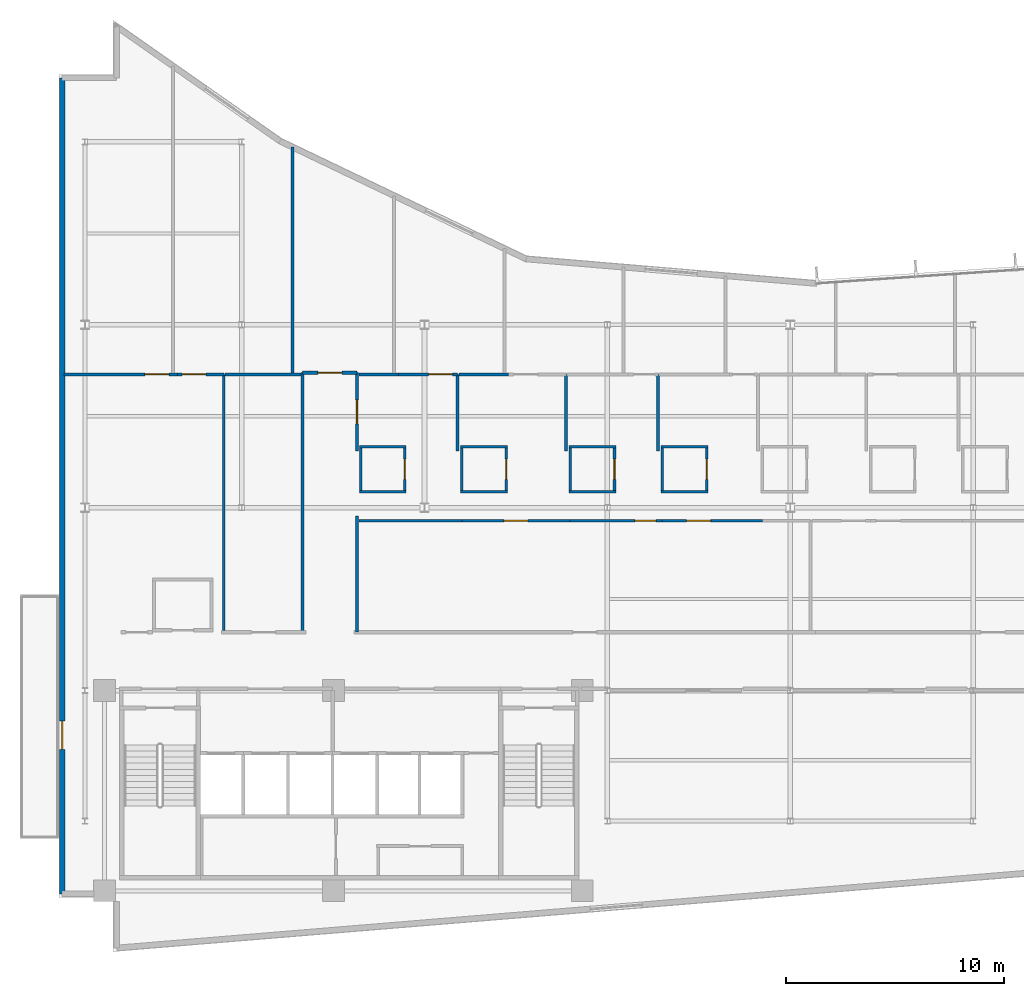
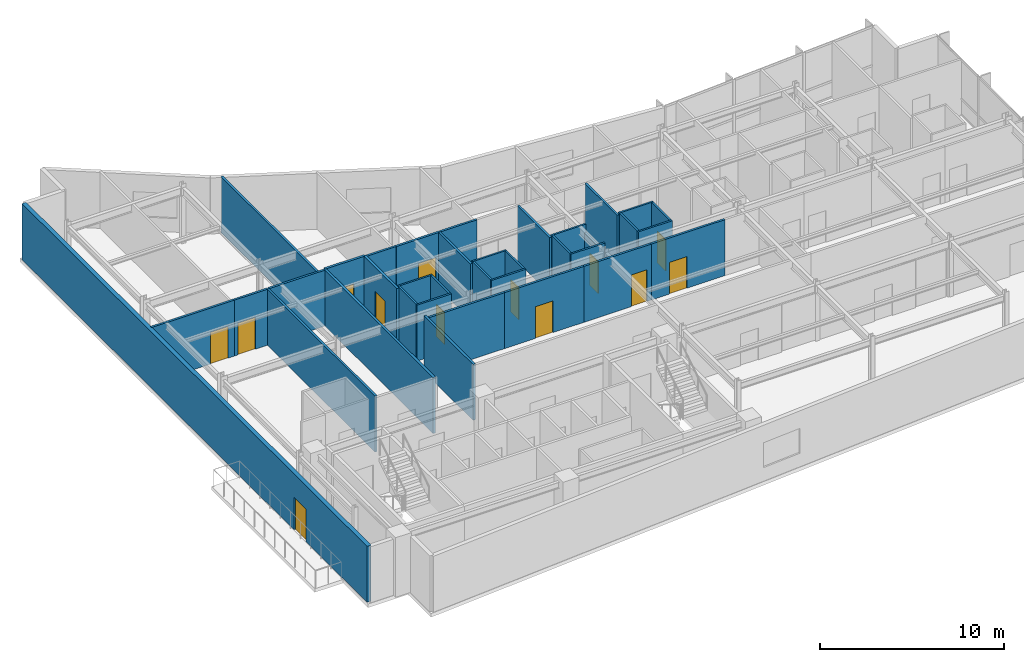
# One storey, part 12 of 17: 36 walls, 13 doors, 13 openings.
"""IFC4 building model written with IfcOpenShell, lengths in metres."""

import ifcopenshell
import ifcopenshell.guid

model = None  # the IFC model being written
_history = None  # IfcOwnerHistory: only IFC2X3 demands one
_inside = {}  # id of a spatial element -> (the spatial element, [elements in it])
_under = {}  # id of a project, library or spatial element -> (it, [spatial elements below it])
_declared = {}  # id of a project -> (the project, [libraries it declares])
_typed = {}  # id of a type object -> (the type object, [elements of that type])
_made_of = {}  # id of a material, layer set ... -> (it, [elements and type objects made of it])


def new_model(schema):
    """Start an empty IFC model of exactly this schema.

    Asked for "IFC4X3", IfcOpenShell would pick the latest addendum, in which some entities
    have other attributes; the version numbers below select the first issue.
    IFC2X3 requires an IfcOwnerHistory on every rooted entity: one is made here for all.
    """
    global model, _history
    if schema == "IFC4X3":
        model = ifcopenshell.file(schema_version=(4, 3, 0, 0))
    else:
        model = ifcopenshell.file(schema=schema)
    _inside.clear()
    _under.clear()
    _declared.clear()
    _typed.clear()
    _made_of.clear()
    _history = None
    if model.schema == "IFC2X3":
        org = make("IfcOrganization", Name="unknown")
        user = make(
            "IfcPersonAndOrganization",
            ThePerson=make("IfcPerson", FamilyName="unknown"),
            TheOrganization=org,
        )
        app = make(
            "IfcApplication",
            ApplicationDeveloper=org,
            Version="unknown",
            ApplicationFullName="unknown",
            ApplicationIdentifier="unknown",
        )
        _history = make(
            "IfcOwnerHistory",
            OwningUser=user,
            OwningApplication=app,
            ChangeAction="ADDED",
            CreationDate=0,
        )
    return model


def make(cls, **values):
    """One entity of the class cls with the attributes given. An attribute that is None is left unset."""
    return model.create_entity(
        cls, **{name: value for name, value in values.items() if value is not None}
    )


def rooted(cls, **values):
    """An entity with a GlobalId (a new one), such as an element, a storey or a relation."""
    return make(cls, GlobalId=ifcopenshell.guid.new(), OwnerHistory=_history, **values)


def si_unit(unit_type, name, prefix=None):
    """IfcSIUnit, for example si_unit("LENGTHUNIT", "METRE", prefix="MILLI")."""
    return make("IfcSIUnit", UnitType=unit_type, Prefix=prefix, Name=name)


def assignment(units):
    """IfcUnitAssignment: the units of a project."""
    return None if units is None else make("IfcUnitAssignment", Units=units)


def point(xyz):
    """IfcCartesianPoint."""
    return None if xyz is None else make("IfcCartesianPoint", Coordinates=xyz)


def direction(xyz):
    """IfcDirection."""
    return None if xyz is None else make("IfcDirection", DirectionRatios=xyz)


def frame(location, z_axis=None, x_axis=None):
    """IfcAxis2Placement3D, a coordinate frame: its origin and axes. An axis left out is left unset."""
    return make(
        "IfcAxis2Placement3D",
        Location=point(location),
        Axis=direction(z_axis),
        RefDirection=direction(x_axis),
    )


def frame_2d(location, x_axis=None):
    """IfcAxis2Placement2D, a coordinate frame in the plane: its origin and x axis."""
    return make(
        "IfcAxis2Placement2D", Location=point(location), RefDirection=direction(x_axis)
    )


def origin():
    """The frame at (0, 0, 0) with its axes left unset."""
    return frame((0.0, 0.0, 0.0))


def place(relative_to, where):
    """IfcLocalPlacement: puts the frame where relative to a parent placement (None: the world)."""
    return make(
        "IfcLocalPlacement", PlacementRelTo=relative_to, RelativePlacement=where
    )


def context(
    kind, dimensions, precision=None, world=None, true_north=None, identifier=None
):
    """IfcGeometricRepresentationContext, for example the 3D "Model" context."""
    return make(
        "IfcGeometricRepresentationContext",
        ContextIdentifier=identifier,
        ContextType=kind,
        CoordinateSpaceDimension=dimensions,
        Precision=precision,
        WorldCoordinateSystem=world,
        TrueNorth=true_north,
    )


def subcontext(parent, identifier, kind, view, scale=None):
    """IfcGeometricRepresentationSubContext, for example "Body" below "Model"."""
    return make(
        "IfcGeometricRepresentationSubContext",
        ContextIdentifier=identifier,
        ContextType=kind,
        ParentContext=parent,
        TargetScale=scale,
        TargetView=view,
    )


def project(units=None, contexts=None):
    """IfcProject with its units and contexts."""
    return rooted(
        "IfcProject",
        Name="project",
        RepresentationContexts=contexts,
        UnitsInContext=assignment(units),
    )


def spatial(cls, under=None, at=None, **own):
    """A site, building, storey or space (cls), placed at a placement, below another one or the project."""
    s = rooted(cls, ObjectPlacement=at, **own)
    if under is not None:
        _under.setdefault(under.id(), (under, []))[1].append(s)
    return s


def profile(cls, at=None, kind="AREA", **sizes):
    """A parametric profile (cls). Its sizes go by their IFC names, for example OverallWidth=200.0."""
    return make(cls, ProfileType=kind, Position=at, **sizes)


def rectangle(**sizes):
    """IfcRectangleProfileDef."""
    return profile("IfcRectangleProfileDef", **sizes)


def extrude(swept, where, along, depth):
    """IfcExtrudedAreaSolid: the profile swept, set in the frame where, extruded along a direction by depth."""
    return make(
        "IfcExtrudedAreaSolid",
        SweptArea=swept,
        Position=where,
        ExtrudedDirection=direction(along),
        Depth=depth,
    )


def shape(context_of_items, identifier, shape_type, items):
    """IfcShapeRepresentation: the items that make up one representation, for example the "Body"."""
    return make(
        "IfcShapeRepresentation",
        ContextOfItems=context_of_items,
        RepresentationIdentifier=identifier,
        RepresentationType=shape_type,
        Items=items,
    )


def material(Name=None, Category=None):
    """IfcMaterial."""
    return make("IfcMaterial", Name=Name, Category=Category)


def layer(
    of_material, thickness, ventilated=None, Name=None, Category=None, Priority=None
):
    """IfcMaterialLayer: one layer of a wall or slab, of a material (None: an air gap)."""
    return make(
        "IfcMaterialLayer",
        Material=of_material,
        LayerThickness=thickness,
        IsVentilated=ventilated,
        Name=Name,
        Category=Category,
        Priority=Priority,
    )


def layer_set(layers, Name=None):
    """IfcMaterialLayerSet."""
    return make("IfcMaterialLayerSet", MaterialLayers=layers, LayerSetName=Name)


def made_of(thing, what):
    """Note that an element or type object is made of a material, layer set ...; save() writes the relation."""
    if what is not None:
        _made_of.setdefault(what.id(), (what, []))[1].append(thing)
    return thing


def type_object(cls, material=None, **own):
    """A type object (cls), such as IfcWallType, which elements share."""
    return made_of(rooted(cls, **own), material)


def element(
    cls,
    number,
    at=None,
    inside=None,
    cuts=None,
    type_object=None,
    material=None,
    context=None,
    identifier="Body",
    shape_type=None,
    held_by="IfcProductDefinitionShape",
    body=None,
    shapes=None,
    **own,
):
    """One element of the class cls, such as IfcWall. Its Tag is "e" and its number.

    at: its placement. inside: the storey or other place that contains it. cuts: it is an
    opening in that element (IfcRelVoidsElement). A single representation is given by context,
    identifier, shape_type and body (its items); several are given by shapes. held_by: the class
    of the entity that holds the representations. save() writes the other relations.
    """
    e = rooted(cls, Tag="e%d" % number, ObjectPlacement=at, **own)
    if body is not None:
        shapes = [shape(context, identifier, shape_type, body)]
    if shapes is not None:
        e.Representation = make(held_by, Representations=shapes)
    if inside is not None:
        _inside.setdefault(inside.id(), (inside, []))[1].append(e)
    if cuts is not None:
        rooted(
            "IfcRelVoidsElement", RelatingBuildingElement=cuts, RelatedOpeningElement=e
        )
    if type_object is not None:
        _typed.setdefault(type_object.id(), (type_object, []))[1].append(e)
    return made_of(e, material)


def fill(opening, filler):
    """IfcRelFillsElement: the door or window that sits in an opening."""
    return rooted(
        "IfcRelFillsElement",
        RelatingOpeningElement=opening,
        RelatedBuildingElement=filler,
    )


def aggregate(whole, parts):
    """IfcRelAggregates: a whole, such as a stair, and the parts it consists of."""
    return rooted("IfcRelAggregates", RelatingObject=whole, RelatedObjects=parts)


def save(model, path):
    """Write the relations noted so far, then the file.

    IfcRelAggregates (storeys below a building ...), IfcRelContainedInSpatialStructure (elements
    in a storey), IfcRelDefinesByType, IfcRelAssociatesMaterial and IfcRelDeclares: one each for
    every whole, place, type object, material and project.
    """
    for whole, parts in _under.values():
        aggregate(whole, parts)
    for where, things in _inside.values():
        rooted(
            "IfcRelContainedInSpatialStructure",
            RelatedElements=things,
            RelatingStructure=where,
        )
    for kind, things in _typed.values():
        rooted("IfcRelDefinesByType", RelatedObjects=things, RelatingType=kind)
    for what, things in _made_of.values():
        rooted("IfcRelAssociatesMaterial", RelatedObjects=things, RelatingMaterial=what)
    for by, libraries in _declared.values():
        rooted("IfcRelDeclares", RelatingContext=by, RelatedDefinitions=libraries)
    model.write(path)


model = new_model("IFC4")

# Units and contexts
model_context = context("Model", 3, precision=1e-05, world=origin(), true_north=direction((0.0, 1.0)))
body_context = subcontext(model_context, "Body", "Model", "MODEL_VIEW")
ifc_project = project(units=[si_unit("LENGTHUNIT", "METRE"), si_unit("AREAUNIT", "SQUARE_METRE"), si_unit("VOLUMEUNIT", "CUBIC_METRE"), si_unit("PLANEANGLEUNIT", "RADIAN"), si_unit("MASSUNIT", "GRAM", prefix="KILO")], contexts=[model_context])

# Site, building, storey
site_placement = place(None, origin())
site = spatial("IfcSite", under=ifc_project, at=site_placement, CompositionType="ELEMENT")
building_placement = place(site_placement, origin())
building = spatial("IfcBuilding", under=site, at=building_placement, Name="Varnakote Quay Hospital", CompositionType="ELEMENT")
storey_placement = place(building_placement, frame((0.0, 0.0, 219.75)))
storey = spatial("IfcBuildingStorey", under=building, at=storey_placement, Name="L54", CompositionType="ELEMENT", Elevation=219.75)

# Walls
ifc_material_1 = material(Name="Moisture-resistant bathroom partition", Category="gypsum")
ifc_layer_1 = layer(ifc_material_1, 0.114990234375)
ifc_layer_set_1 = layer_set([ifc_layer_1], Name="Moisture-resistant bathroom partition")
wall_type_1 = type_object("IfcWallType", Name="WL-ENS-115", PredefinedType="PARTITIONING", material=ifc_layer_set_1)
for number, where, z_axis, x_axis, name in (
    (1, (13.804931640625, 21.132568359375, 0.0), (0.0, 0.0, 1.0), (1.0, 0.0, 0.0), "L54 Inpatient En-Suite Bathroom 01 S Wall"),
    (2, (13.804931640625, 23.197509765625, 0.0), (0.0, 0.0, 1.0), (1.0, 0.0, 0.0), "L54 Inpatient En-Suite Bathroom 01 N Wall"),
):
    element("IfcWall", number, at=place(storey_placement, frame(where, z_axis=z_axis, x_axis=x_axis)), inside=storey, type_object=wall_type_1, Name=name, PredefinedType="PARTITIONING", context=body_context, shape_type="SweptSolid", body=[
        extrude(rectangle(XDim=2.150146484375, YDim=0.114990234375, at=frame_2d((1.0751953125, 0.0))), origin(), (0.0, 0.0, 1.0), 3.7099609375),
    ])
wall_1_placement = place(storey_placement, frame((13.862548828125, 21.18994140625, 0.0), z_axis=(0.0, 0.0, 1.0), x_axis=(0.0, 1.0, 0.0)))
element("IfcWall", 3, at=wall_1_placement, inside=storey, type_object=wall_type_1, Name="L54 Inpatient En-Suite Bathroom 01 W Wall", PredefinedType="PARTITIONING", context=body_context, shape_type="SweptSolid", body=[
    extrude(rectangle(XDim=1.949951171875, YDim=0.114990234375, at=frame_2d((0.97509765625, 0.0))), origin(), (0.0, 0.0, 1.0), 3.7099609375),
])

# Wall, opening, door
wall_2_placement = place(storey_placement, frame((15.8974609375, 21.18994140625, 0.0), z_axis=(0.0, 0.0, 1.0), x_axis=(0.0, 1.0, 0.0)))
wall_2 = element("IfcWall", 4, at=wall_2_placement, inside=storey, type_object=wall_type_1, Name="L54 Inpatient En-Suite Bathroom 01 E Wall", PredefinedType="PARTITIONING", context=body_context, shape_type="SweptSolid", body=[
    extrude(rectangle(XDim=1.949951171875, YDim=0.114990234375, at=frame_2d((0.97509765625, 0.0))), origin(), (0.0, 0.0, 1.0), 3.7099609375),
])
opening_1_placement = place(wall_2_placement, frame((0.514892578125, 0.0, 0.0)))
opening_1 = element("IfcOpeningElement", 5, at=opening_1_placement, cuts=wall_2, Name="Opening D-L54-ENS01", PredefinedType="OPENING", context=body_context, shape_type="SweptSolid", body=[
    extrude(rectangle(XDim=0.919921875, YDim=2.10009765625, at=frame_2d((0.4599609375, 1.050048828125))), frame((0.0, 0.0673828125, 0.0), z_axis=(0.0, -1.0, 0.0), x_axis=(1.0, 0.0, 0.0)), (0.0, 0.0, 1.0), 0.135009765625),
])
ifc_material_2 = material(Name="Moisture-sealed en-suite bathroom door")
door_type_1 = type_object("IfcDoorType", Name="DR-ENS-920x2100", OperationType="NOTDEFINED", PredefinedType="DOOR", material=ifc_material_2)
door_1_placement = place(opening_1_placement, origin())
door_1 = element("IfcDoor", 6, at=door_1_placement, inside=storey, type_object=door_type_1, Name="L54 Inpatient En-Suite Bathroom 01 Door", OperationType="SINGLE_SWING_LEFT", OverallHeight=2.10009765625, OverallWidth=0.919921875, PredefinedType="DOOR", context=body_context, shape_type="SweptSolid", body=[
    extrude(rectangle(XDim=0.919921875, YDim=2.10009765625, at=frame_2d((0.4599609375, 1.050048828125))), frame((0.0, 0.02490234375, 0.0), z_axis=(0.0, -1.0, 0.0), x_axis=(1.0, 0.0, 0.0)), (0.0, 0.0, 1.0), 0.050048828125),
])
fill(opening_1, door_1)

# Walls
for number, where, z_axis, x_axis, name in (
    (7, (18.465087890625, 21.132568359375, 0.0), (0.0, 0.0, 1.0), (1.0, 0.0, 0.0), "L54 Inpatient En-Suite Bathroom 02 S Wall"),
    (8, (18.465087890625, 23.197509765625, 0.0), (0.0, 0.0, 1.0), (1.0, 0.0, 0.0), "L54 Inpatient En-Suite Bathroom 02 N Wall"),
):
    element("IfcWall", number, at=place(storey_placement, frame(where, z_axis=z_axis, x_axis=x_axis)), inside=storey, type_object=wall_type_1, Name=name, PredefinedType="PARTITIONING", context=body_context, shape_type="SweptSolid", body=[
        extrude(rectangle(XDim=2.14990234375, YDim=0.114990234375, at=frame_2d((1.074951171875, 0.0))), origin(), (0.0, 0.0, 1.0), 3.7099609375),
    ])
wall_3_placement = place(storey_placement, frame((18.5224609375, 21.18994140625, 0.0), z_axis=(0.0, 0.0, 1.0), x_axis=(0.0, 1.0, 0.0)))
element("IfcWall", 9, at=wall_3_placement, inside=storey, type_object=wall_type_1, Name="L54 Inpatient En-Suite Bathroom 02 W Wall", PredefinedType="PARTITIONING", context=body_context, shape_type="SweptSolid", body=[
    extrude(rectangle(XDim=1.949951171875, YDim=0.114990234375, at=frame_2d((0.97509765625, 0.0))), origin(), (0.0, 0.0, 1.0), 3.7099609375),
])

# Wall, opening, door
wall_4_placement = place(storey_placement, frame((20.5576171875, 21.18994140625, 0.0), z_axis=(0.0, 0.0, 1.0), x_axis=(0.0, 1.0, 0.0)))
wall_4 = element("IfcWall", 10, at=wall_4_placement, inside=storey, type_object=wall_type_1, Name="L54 Inpatient En-Suite Bathroom 02 E Wall", PredefinedType="PARTITIONING", context=body_context, shape_type="SweptSolid", body=[
    extrude(rectangle(XDim=1.949951171875, YDim=0.114990234375, at=frame_2d((0.97509765625, 0.0))), origin(), (0.0, 0.0, 1.0), 3.7099609375),
])
opening_2_placement = place(wall_4_placement, frame((0.514892578125, 0.0, 0.0)))
opening_2 = element("IfcOpeningElement", 11, at=opening_2_placement, cuts=wall_4, Name="Opening D-L54-ENS02", PredefinedType="OPENING", context=body_context, shape_type="SweptSolid", body=[
    extrude(rectangle(XDim=0.919921875, YDim=2.10009765625, at=frame_2d((0.4599609375, 1.050048828125))), frame((0.0, 0.0673828125, 0.0), z_axis=(0.0, -1.0, 0.0), x_axis=(1.0, 0.0, 0.0)), (0.0, 0.0, 1.0), 0.135009765625),
])
door_2_placement = place(opening_2_placement, origin())
door_2 = element("IfcDoor", 12, at=door_2_placement, inside=storey, type_object=door_type_1, Name="L54 Inpatient En-Suite Bathroom 02 Door", OperationType="SINGLE_SWING_RIGHT", OverallHeight=2.10009765625, OverallWidth=0.919921875, PredefinedType="DOOR", context=body_context, shape_type="SweptSolid", body=[
    extrude(rectangle(XDim=0.919921875, YDim=2.10009765625, at=frame_2d((0.4599609375, 1.050048828125))), frame((0.0, 0.02490234375, 0.0), z_axis=(0.0, -1.0, 0.0), x_axis=(1.0, 0.0, 0.0)), (0.0, 0.0, 1.0), 0.050048828125),
])
fill(opening_2, door_2)

# Walls
for number, where, z_axis, x_axis, name in (
    (13, (23.43505859375, 21.132568359375, 0.0), (0.0, 0.0, 1.0), (1.0, 0.0, 0.0), "L54 Inpatient En-Suite Bathroom 03 S Wall"),
    (14, (23.43505859375, 23.197509765625, 0.0), (0.0, 0.0, 1.0), (1.0, 0.0, 0.0), "L54 Inpatient En-Suite Bathroom 03 N Wall"),
):
    element("IfcWall", number, at=place(storey_placement, frame(where, z_axis=z_axis, x_axis=x_axis)), inside=storey, type_object=wall_type_1, Name=name, PredefinedType="PARTITIONING", context=body_context, shape_type="SweptSolid", body=[
        extrude(rectangle(XDim=2.14990234375, YDim=0.114990234375, at=frame_2d((1.074951171875, 0.0))), origin(), (0.0, 0.0, 1.0), 3.7099609375),
    ])
wall_5_placement = place(storey_placement, frame((23.492431640625, 21.18994140625, 0.0), z_axis=(0.0, 0.0, 1.0), x_axis=(0.0, 1.0, 0.0)))
element("IfcWall", 15, at=wall_5_placement, inside=storey, type_object=wall_type_1, Name="L54 Inpatient En-Suite Bathroom 03 W Wall", PredefinedType="PARTITIONING", context=body_context, shape_type="SweptSolid", body=[
    extrude(rectangle(XDim=1.949951171875, YDim=0.114990234375, at=frame_2d((0.97509765625, 0.0))), origin(), (0.0, 0.0, 1.0), 3.7099609375),
])

# Wall, opening, door
wall_6_placement = place(storey_placement, frame((25.527587890625, 21.18994140625, 0.0), z_axis=(0.0, 0.0, 1.0), x_axis=(0.0, 1.0, 0.0)))
wall_6 = element("IfcWall", 16, at=wall_6_placement, inside=storey, type_object=wall_type_1, Name="L54 Inpatient En-Suite Bathroom 03 E Wall", PredefinedType="PARTITIONING", context=body_context, shape_type="SweptSolid", body=[
    extrude(rectangle(XDim=1.949951171875, YDim=0.114990234375, at=frame_2d((0.97509765625, 0.0))), origin(), (0.0, 0.0, 1.0), 3.156982421875),
])
opening_3_placement = place(wall_6_placement, frame((0.514892578125, 0.0, 0.0)))
opening_3 = element("IfcOpeningElement", 17, at=opening_3_placement, cuts=wall_6, Name="Opening D-L54-ENS03", PredefinedType="OPENING", context=body_context, shape_type="SweptSolid", body=[
    extrude(rectangle(XDim=0.919921875, YDim=2.10009765625, at=frame_2d((0.4599609375, 1.050048828125))), frame((0.0, 0.0673828125, 0.0), z_axis=(0.0, -1.0, 0.0), x_axis=(1.0, 0.0, 0.0)), (0.0, 0.0, 1.0), 0.135009765625),
])
door_3_placement = place(opening_3_placement, origin())
door_3 = element("IfcDoor", 18, at=door_3_placement, inside=storey, type_object=door_type_1, Name="L54 Inpatient En-Suite Bathroom 03 Door", OperationType="SINGLE_SWING_LEFT", OverallHeight=2.10009765625, OverallWidth=0.919921875, PredefinedType="DOOR", context=body_context, shape_type="SweptSolid", body=[
    extrude(rectangle(XDim=0.919921875, YDim=2.10009765625, at=frame_2d((0.4599609375, 1.050048828125))), frame((0.0, 0.02490234375, 0.0), z_axis=(0.0, -1.0, 0.0), x_axis=(1.0, 0.0, 0.0)), (0.0, 0.0, 1.0), 0.050048828125),
])
fill(opening_3, door_3)

# Walls
for number, where, z_axis, x_axis, name in (
    (19, (27.6650390625, 21.132568359375, 0.0), (0.0, 0.0, 1.0), (1.0, 0.0, 0.0), "L54 Inpatient En-Suite Bathroom 04 S Wall"),
    (20, (27.6650390625, 23.197509765625, 0.0), (0.0, 0.0, 1.0), (1.0, 0.0, 0.0), "L54 Inpatient En-Suite Bathroom 04 N Wall"),
):
    element("IfcWall", number, at=place(storey_placement, frame(where, z_axis=z_axis, x_axis=x_axis)), inside=storey, type_object=wall_type_1, Name=name, PredefinedType="PARTITIONING", context=body_context, shape_type="SweptSolid", body=[
        extrude(rectangle(XDim=2.14990234375, YDim=0.114990234375, at=frame_2d((1.074951171875, 0.0))), origin(), (0.0, 0.0, 1.0), 3.7099609375),
    ])
wall_7_placement = place(storey_placement, frame((27.722412109375, 21.18994140625, 0.0), z_axis=(0.0, 0.0, 1.0), x_axis=(0.0, 1.0, 0.0)))
element("IfcWall", 21, at=wall_7_placement, inside=storey, type_object=wall_type_1, Name="L54 Inpatient En-Suite Bathroom 04 W Wall", PredefinedType="PARTITIONING", context=body_context, shape_type="SweptSolid", body=[
    extrude(rectangle(XDim=1.949951171875, YDim=0.114990234375, at=frame_2d((0.97509765625, 0.0))), origin(), (0.0, 0.0, 1.0), 3.7099609375),
])

# Wall, opening, door
wall_8_placement = place(storey_placement, frame((29.757568359375, 21.18994140625, 0.0), z_axis=(0.0, 0.0, 1.0), x_axis=(0.0, 1.0, 0.0)))
wall_8 = element("IfcWall", 22, at=wall_8_placement, inside=storey, type_object=wall_type_1, Name="L54 Inpatient En-Suite Bathroom 04 E Wall", PredefinedType="PARTITIONING", context=body_context, shape_type="SweptSolid", body=[
    extrude(rectangle(XDim=1.949951171875, YDim=0.114990234375, at=frame_2d((0.97509765625, 0.0))), origin(), (0.0, 0.0, 1.0), 3.7099609375),
])
opening_4_placement = place(wall_8_placement, frame((0.514892578125, 0.0, 0.0)))
opening_4 = element("IfcOpeningElement", 23, at=opening_4_placement, cuts=wall_8, Name="Opening D-L54-ENS04", PredefinedType="OPENING", context=body_context, shape_type="SweptSolid", body=[
    extrude(rectangle(XDim=0.919921875, YDim=2.10009765625, at=frame_2d((0.4599609375, 1.050048828125))), frame((0.0, 0.0673828125, 0.0), z_axis=(0.0, -1.0, 0.0), x_axis=(1.0, 0.0, 0.0)), (0.0, 0.0, 1.0), 0.135009765625),
])
door_4_placement = place(opening_4_placement, origin())
door_4 = element("IfcDoor", 24, at=door_4_placement, inside=storey, type_object=door_type_1, Name="L54 Inpatient En-Suite Bathroom 04 Door", OperationType="SINGLE_SWING_RIGHT", OverallHeight=2.10009765625, OverallWidth=0.919921875, PredefinedType="DOOR", context=body_context, shape_type="SweptSolid", body=[
    extrude(rectangle(XDim=0.919921875, YDim=2.10009765625, at=frame_2d((0.4599609375, 1.050048828125))), frame((0.0, 0.02490234375, 0.0), z_axis=(0.0, -1.0, 0.0), x_axis=(1.0, 0.0, 0.0)), (0.0, 0.0, 1.0), 0.050048828125),
])
fill(opening_4, door_4)

ifc_material_3 = material(Name="Precast concrete N50 (f'c 50 MPa)", Category="concrete")
ifc_layer_2 = layer(ifc_material_3, 0.260009765625)
ifc_layer_set_2 = layer_set([ifc_layer_2], Name="Precast concrete N50 (f'c 50 MPa)")
wall_type_2 = type_object("IfcWallType", Name="WL-EXT-BRICK-260", PredefinedType="STANDARD", material=ifc_layer_set_2)
wall_9_placement = place(storey_placement, frame((0.159912109375, 40.139892578125, 0.0), z_axis=(0.0, 0.0, 1.0), x_axis=(0.0, -1.0, 0.0)))
wall_9 = element("IfcWall", 25, at=wall_9_placement, inside=storey, type_object=wall_type_2, Name="L54 Healing Terrace Portal Brick Wall", PredefinedType="STANDARD", context=body_context, shape_type="SweptSolid", body=[
    extrude(rectangle(XDim=37.47998046875, YDim=0.260009765625, at=frame_2d((18.739990234375, 0.0))), origin(), (0.0, 0.0, 1.0), 3.7099609375),
])
opening_5_placement = place(wall_9_placement, frame((29.542236328125, 0.0, 0.0)))
opening_5 = element("IfcOpeningElement", 26, at=opening_5_placement, cuts=wall_9, Name="Opening DT-L54", PredefinedType="OPENING", context=body_context, shape_type="SweptSolid", body=[
    extrude(rectangle(XDim=1.300048828125, YDim=2.14990234375, at=frame_2d((0.64990234375, 1.074951171875))), frame((0.0, 0.139892578125, 0.0), z_axis=(0.0, -1.0, 0.0), x_axis=(1.0, 0.0, 0.0)), (0.0, 0.0, 1.0), 0.280029296875),
])
ifc_material_4 = material(Name="Anodised aluminium glazed terrace door", Category="aluminium")
door_type_2 = type_object("IfcDoorType", Name="DR-EXT-TERR-1300x2150", OperationType="NOTDEFINED", PredefinedType="DOOR", material=ifc_material_4)
door_5_placement = place(opening_5_placement, origin())
door_5 = element("IfcDoor", 27, at=door_5_placement, inside=storey, type_object=door_type_2, Name="L54 Waterfront Healing Terrace Door", OperationType="SINGLE_SWING_LEFT", OverallHeight=2.14990234375, OverallWidth=1.300048828125, PredefinedType="DOOR", context=body_context, shape_type="SweptSolid", body=[
    extrude(rectangle(XDim=1.300048828125, YDim=2.14990234375, at=frame_2d((0.64990234375, 1.074951171875))), frame((0.0, 0.02490234375, 0.0), z_axis=(0.0, -1.0, 0.0), x_axis=(1.0, 0.0, 0.0)), (0.0, 0.0, 1.0), 0.050048828125),
])
fill(opening_5, door_5)

# Wall
ifc_material_5 = material(Name="Smoke-proof clinical partition", Category="gypsum")
ifc_layer_3 = layer(ifc_material_5, 0.135009765625)
ifc_layer_set_3 = layer_set([ifc_layer_3], Name="Smoke-proof clinical partition")
wall_type_3 = type_object("IfcWallType", Name="WL-SMOKE-135", PredefinedType="PARTITIONING", material=ifc_layer_set_3)
wall_10_placement = place(storey_placement, frame((7.580078125, 14.760009765625, 0.0), z_axis=(0.0, 0.0, 1.0), x_axis=(0.0, 1.0, 0.0)))
element("IfcWall", 28, at=wall_10_placement, inside=storey, type_object=wall_type_3, Name="L54 Clinical Interior Partition", PredefinedType="PARTITIONING", context=body_context, shape_type="SweptSolid", body=[
    extrude(rectangle(XDim=11.760009765625, YDim=0.135009765625, at=frame_2d((5.8798828125, 0.0))), origin(), (0.0, 0.0, 1.0), 3.7099609375),
])

# Wall, opening, door
wall_11_placement = place(storey_placement, frame((5.444580078125, 26.52001953125, 0.0), z_axis=(0.0, 0.0, 1.0), x_axis=(-1.0, 0.0, 0.0)))
wall_11 = element("IfcWall", 29, at=wall_11_placement, inside=storey, type_object=wall_type_3, Name="L54 Clinical Interior Partition", PredefinedType="PARTITIONING", context=body_context, shape_type="SweptSolid", body=[
    extrude(rectangle(XDim=5.20458984375, YDim=0.135009765625, at=frame_2d((2.602294921875, 0.0))), origin(), (0.0, 0.0, 1.0), 3.7099609375),
])
opening_6_placement = place(wall_11_placement, frame((0.38525390625, 0.0, 0.0)))
opening_6 = element("IfcOpeningElement", 30, at=opening_6_placement, cuts=wall_11, Name="Opening D-L54-MD03", PredefinedType="OPENING", context=body_context, shape_type="SweptSolid", body=[
    extrude(rectangle(XDim=1.10009765625, YDim=2.10009765625, at=frame_2d((0.550048828125, 1.050048828125))), frame((0.0, 0.077392578125, 0.0), z_axis=(0.0, -1.0, 0.0), x_axis=(1.0, 0.0, 0.0)), (0.0, 0.0, 1.0), 0.155029296875),
])
ifc_material_6 = material(Name="Acoustic timber clinical consult door", Category="wood")
door_type_3 = type_object("IfcDoorType", Name="DR-CLIN-FD30S-1100x2100", OperationType="NOTDEFINED", PredefinedType="DOOR", material=ifc_material_6)
door_6_placement = place(opening_6_placement, origin())
door_6 = element("IfcDoor", 31, at=door_6_placement, inside=storey, type_object=door_type_3, Name="L54 Preventive Cardiology Office Door", OperationType="SINGLE_SWING_RIGHT", OverallHeight=2.10009765625, OverallWidth=1.10009765625, PredefinedType="DOOR", context=body_context, shape_type="SweptSolid", body=[
    extrude(rectangle(XDim=1.10009765625, YDim=2.10009765625, at=frame_2d((0.550048828125, 1.050048828125))), frame((0.0, 0.02490234375, 0.0), z_axis=(0.0, -1.0, 0.0), x_axis=(1.0, 0.0, 0.0)), (0.0, 0.0, 1.0), 0.050048828125),
])
fill(opening_6, door_6)

wall_12_placement = place(storey_placement, frame((7.580078125, 26.52001953125, 0.0), z_axis=(0.0, 0.0, 1.0), x_axis=(-1.0, 0.0, 0.0)))
wall_12 = element("IfcWall", 32, at=wall_12_placement, inside=storey, type_object=wall_type_3, Name="L54 Clinical Interior Partition", PredefinedType="PARTITIONING", context=body_context, shape_type="SweptSolid", body=[
    extrude(rectangle(XDim=2.133544921875, YDim=0.135009765625, at=frame_2d((1.06689453125, 0.0))), origin(), (0.0, 0.0, 1.0), 3.7099609375),
])
opening_7_placement = place(wall_12_placement, frame((0.817626953125, 0.0, 0.0)))
opening_7 = element("IfcOpeningElement", 33, at=opening_7_placement, cuts=wall_12, Name="Opening D-L54-MD04", PredefinedType="OPENING", context=body_context, shape_type="SweptSolid", body=[
    extrude(rectangle(XDim=1.10009765625, YDim=2.10009765625, at=frame_2d((0.550048828125, 1.050048828125))), frame((0.0, 0.077392578125, 0.0), z_axis=(0.0, -1.0, 0.0), x_axis=(1.0, 0.0, 0.0)), (0.0, 0.0, 1.0), 0.155029296875),
])
door_7_placement = place(opening_7_placement, origin())
door_7 = element("IfcDoor", 34, at=door_7_placement, inside=storey, type_object=door_type_3, Name="L54 Patient Wellness Meeting Room Door", OperationType="SINGLE_SWING_LEFT", OverallHeight=2.10009765625, OverallWidth=1.10009765625, PredefinedType="DOOR", context=body_context, shape_type="SweptSolid", body=[
    extrude(rectangle(XDim=1.10009765625, YDim=2.10009765625, at=frame_2d((0.550048828125, 1.050048828125))), frame((0.0, 0.02490234375, 0.0), z_axis=(0.0, -1.0, 0.0), x_axis=(1.0, 0.0, 0.0)), (0.0, 0.0, 1.0), 0.050048828125),
])
fill(opening_7, door_7)

# Walls
wall_13_placement = place(storey_placement, frame((11.135009765625, 26.52001953125, 0.0), z_axis=(0.0, 0.0, 1.0), x_axis=(-1.0, 0.0, 0.0)))
element("IfcWall", 35, at=wall_13_placement, inside=storey, type_object=wall_type_3, Name="L54 Clinical Interior Partition", PredefinedType="PARTITIONING", context=body_context, shape_type="SweptSolid", body=[
    extrude(rectangle(XDim=3.49755859375, YDim=0.135009765625, at=frame_2d((1.748779296875, 0.0))), origin(), (0.0, 0.0, 1.0), 3.7099609375),
])
wall_14_placement = place(storey_placement, frame((18.5146484375, 19.800048828125, 0.0), z_axis=(0.0, 0.0, 1.0), x_axis=(-1.0, 0.0, 0.0)))
element("IfcWall", 36, at=wall_14_placement, inside=storey, type_object=wall_type_3, Name="L54 Clinical Interior Partition", PredefinedType="PARTITIONING", context=body_context, shape_type="SweptSolid", body=[
    extrude(rectangle(XDim=4.734619140625, YDim=0.135009765625, at=frame_2d((2.3671875, 0.0))), origin(), (0.0, 0.0, 1.0), 3.7099609375),
])

# Wall, opening, door
wall_15_placement = place(storey_placement, frame((23.484619140625, 19.800048828125, 0.0), z_axis=(0.0, 0.0, 1.0), x_axis=(-1.0, 0.0, 0.0)))
wall_15 = element("IfcWall", 37, at=wall_15_placement, inside=storey, type_object=wall_type_3, Name="L54 Clinical Interior Partition", PredefinedType="PARTITIONING", context=body_context, shape_type="SweptSolid", body=[
    extrude(rectangle(XDim=4.968017578125, YDim=0.135009765625, at=frame_2d((2.48388671875, 0.0))), origin(), (0.0, 0.0, 1.0), 3.7099609375),
])
opening_8_placement = place(wall_15_placement, frame((1.93408203125, 0.0, 0.0)))
opening_8 = element("IfcOpeningElement", 38, at=opening_8_placement, cuts=wall_15, Name="Opening D-L54-BR02", PredefinedType="OPENING", context=body_context, shape_type="SweptSolid", body=[
    extrude(rectangle(XDim=1.10009765625, YDim=2.10009765625, at=frame_2d((0.550048828125, 1.050048828125))), frame((0.0, 0.077392578125, 0.0), z_axis=(0.0, -1.0, 0.0), x_axis=(1.0, 0.0, 0.0)), (0.0, 0.0, 1.0), 0.155029296875),
])
door_8_placement = place(opening_8_placement, origin())
door_8 = element("IfcDoor", 39, at=door_8_placement, inside=storey, type_object=door_type_3, Name="L54 Inpatient Clinical Treatment Room 02 Door", OperationType="SINGLE_SWING_RIGHT", OverallHeight=2.10009765625, OverallWidth=1.10009765625, PredefinedType="DOOR", context=body_context, shape_type="SweptSolid", body=[
    extrude(rectangle(XDim=1.10009765625, YDim=2.10009765625, at=frame_2d((0.550048828125, 1.050048828125))), frame((0.0, 0.02490234375, 0.0), z_axis=(0.0, -1.0, 0.0), x_axis=(1.0, 0.0, 0.0)), (0.0, 0.0, 1.0), 0.050048828125),
])
fill(opening_8, door_8)

wall_16_placement = place(storey_placement, frame((27.714599609375, 19.800048828125, 0.0), z_axis=(0.0, 0.0, 1.0), x_axis=(-1.0, 0.0, 0.0)))
wall_16 = element("IfcWall", 40, at=wall_16_placement, inside=storey, type_object=wall_type_3, Name="L54 Clinical Interior Partition", PredefinedType="PARTITIONING", context=body_context, shape_type="SweptSolid", body=[
    extrude(rectangle(XDim=4.22802734375, YDim=0.135009765625, at=frame_2d((2.114013671875, 0.0))), origin(), (0.0, 0.0, 1.0), 3.7099609375),
])
opening_9_placement = place(wall_16_placement, frame((0.271240234375, 0.0, 0.0)))
opening_9 = element("IfcOpeningElement", 41, at=opening_9_placement, cuts=wall_16, Name="Opening D-L54-BR03", PredefinedType="OPENING", context=body_context, shape_type="SweptSolid", body=[
    extrude(rectangle(XDim=0.97998046875, YDim=2.10009765625, at=frame_2d((0.489990234375, 1.050048828125))), frame((0.0, 0.077392578125, 0.0), z_axis=(0.0, -1.0, 0.0), x_axis=(1.0, 0.0, 0.0)), (0.0, 0.0, 1.0), 0.155029296875),
])
ifc_material_7 = material(Name="Accessible sanitary compartment door")
door_type_4 = type_object("IfcDoorType", Name="DR-WC-980x2100", OperationType="NOTDEFINED", PredefinedType="DOOR", material=ifc_material_7)
door_9_placement = place(opening_9_placement, origin())
door_9 = element("IfcDoor", 42, at=door_9_placement, inside=storey, type_object=door_type_4, Name="L54 Inpatient Clinical Treatment Room 03 Door", OperationType="SINGLE_SWING_LEFT", OverallHeight=2.10009765625, OverallWidth=0.97998046875, PredefinedType="DOOR", context=body_context, shape_type="SweptSolid", body=[
    extrude(rectangle(XDim=0.97998046875, YDim=2.10009765625, at=frame_2d((0.489990234375, 1.050048828125))), frame((0.0, 0.02490234375, 0.0), z_axis=(0.0, -1.0, 0.0), x_axis=(1.0, 0.0, 0.0)), (0.0, 0.0, 1.0), 0.050048828125),
])
fill(opening_9, door_9)

wall_17_placement = place(storey_placement, frame((32.314697265625, 19.800048828125, 0.0), z_axis=(0.0, 0.0, 1.0), x_axis=(-1.0, 0.0, 0.0)))
wall_17 = element("IfcWall", 43, at=wall_17_placement, inside=storey, type_object=wall_type_3, Name="L54 Clinical Interior Partition", PredefinedType="PARTITIONING", context=body_context, shape_type="SweptSolid", body=[
    extrude(rectangle(XDim=4.59814453125, YDim=0.135009765625, at=frame_2d((2.299072265625, 0.0))), origin(), (0.0, 0.0, 1.0), 3.7099609375),
])
opening_10_placement = place(wall_17_placement, frame((2.36865234375, 0.0, 0.0)))
opening_10 = element("IfcOpeningElement", 44, at=opening_10_placement, cuts=wall_17, Name="Opening D-L54-BR04", PredefinedType="OPENING", context=body_context, shape_type="SweptSolid", body=[
    extrude(rectangle(XDim=1.10009765625, YDim=2.10009765625, at=frame_2d((0.550048828125, 1.050048828125))), frame((0.0, 0.077392578125, 0.0), z_axis=(0.0, -1.0, 0.0), x_axis=(1.0, 0.0, 0.0)), (0.0, 0.0, 1.0), 0.155029296875),
])
door_10_placement = place(opening_10_placement, origin())
door_10 = element("IfcDoor", 45, at=door_10_placement, inside=storey, type_object=door_type_3, Name="L54 Inpatient Clinical Treatment Room 04 Door", OperationType="SINGLE_SWING_RIGHT", OverallHeight=2.10009765625, OverallWidth=1.10009765625, PredefinedType="DOOR", context=body_context, shape_type="SweptSolid", body=[
    extrude(rectangle(XDim=1.10009765625, YDim=2.10009765625, at=frame_2d((0.550048828125, 1.050048828125))), frame((0.0, 0.02490234375, 0.0), z_axis=(0.0, -1.0, 0.0), x_axis=(1.0, 0.0, 0.0)), (0.0, 0.0, 1.0), 0.050048828125),
])
fill(opening_10, door_10)

# Walls
wall_18_placement = place(storey_placement, frame((18.320068359375, 23.012451171875, 0.0), z_axis=(0.0, 0.0, 1.0), x_axis=(0.0, 1.0, 0.0)))
element("IfcWall", 46, at=wall_18_placement, inside=storey, type_object=wall_type_3, Name="L54 Clinical Interior Partition", PredefinedType="PARTITIONING", context=body_context, shape_type="SweptSolid", body=[
    extrude(rectangle(XDim=3.507568359375, YDim=0.135009765625, at=frame_2d((1.75390625, 0.0))), origin(), (0.0, 0.0, 1.0), 3.7099609375),
])
wall_19_placement = place(storey_placement, frame((15.594482421875, 26.52001953125, 0.0), z_axis=(0.0, 0.0, 1.0), x_axis=(-1.0, 0.0, 0.0)))
element("IfcWall", 47, at=wall_19_placement, inside=storey, type_object=wall_type_3, Name="L54 Clinical Interior Partition", PredefinedType="PARTITIONING", context=body_context, shape_type="SweptSolid", body=[
    extrude(rectangle(XDim=1.814453125, YDim=0.135009765625, at=frame_2d((0.9072265625, 0.0))), origin(), (0.0, 0.0, 1.0), 3.7099609375),
])

# Wall, opening, door
wall_20_placement = place(storey_placement, frame((18.320068359375, 26.52001953125, 0.0), z_axis=(0.0, 0.0, 1.0), x_axis=(-1.0, 0.0, 0.0)))
wall_20 = element("IfcWall", 48, at=wall_20_placement, inside=storey, type_object=wall_type_3, Name="L54 Clinical Interior Partition", PredefinedType="PARTITIONING", context=body_context, shape_type="SweptSolid", body=[
    extrude(rectangle(XDim=2.723388671875, YDim=0.135009765625, at=frame_2d((1.36181640625, 0.0))), origin(), (0.0, 0.0, 1.0), 3.7099609375),
])
opening_11_placement = place(wall_20_placement, frame((0.230712890625, 0.0, 0.0)))
opening_11 = element("IfcOpeningElement", 49, at=opening_11_placement, cuts=wall_20, Name="Opening D-L54-MD06", PredefinedType="OPENING", context=body_context, shape_type="SweptSolid", body=[
    extrude(rectangle(XDim=1.10009765625, YDim=2.10009765625, at=frame_2d((0.550048828125, 1.050048828125))), frame((0.0, 0.077392578125, 0.0), z_axis=(0.0, -1.0, 0.0), x_axis=(1.0, 0.0, 0.0)), (0.0, 0.0, 1.0), 0.155029296875),
])
door_11_placement = place(opening_11_placement, origin())
door_11 = element("IfcDoor", 50, at=door_11_placement, inside=storey, type_object=door_type_3, Name="L54 Cardiac Rehab Treatment Suite Door", OperationType="SINGLE_SWING_LEFT", OverallHeight=2.10009765625, OverallWidth=1.10009765625, PredefinedType="DOOR", context=body_context, shape_type="SweptSolid", body=[
    extrude(rectangle(XDim=1.10009765625, YDim=2.10009765625, at=frame_2d((0.550048828125, 1.050048828125))), frame((0.0, 0.02490234375, 0.0), z_axis=(0.0, -1.0, 0.0), x_axis=(1.0, 0.0, 0.0)), (0.0, 0.0, 1.0), 0.050048828125),
])
fill(opening_11, door_11)

# Walls
wall_21_placement = place(storey_placement, frame((23.2900390625, 23.012451171875, 0.0), z_axis=(0.0, 0.0, 1.0), x_axis=(0.0, 1.0, 0.0)))
element("IfcWall", 51, at=wall_21_placement, inside=storey, type_object=wall_type_3, Name="L54 Clinical Interior Partition", PredefinedType="PARTITIONING", context=body_context, shape_type="SweptSolid", body=[
    extrude(rectangle(XDim=3.507568359375, YDim=0.135009765625, at=frame_2d((1.75390625, 0.0))), origin(), (0.0, 0.0, 1.0), 3.7099609375),
])
wall_22_placement = place(storey_placement, frame((20.66455078125, 26.52001953125, 0.0), z_axis=(0.0, 0.0, 1.0), x_axis=(-1.0, 0.0, 0.0)))
element("IfcWall", 52, at=wall_22_placement, inside=storey, type_object=wall_type_3, Name="L54 Clinical Interior Partition", PredefinedType="PARTITIONING", context=body_context, shape_type="SweptSolid", body=[
    extrude(rectangle(XDim=2.287109375, YDim=0.135009765625, at=frame_2d((1.1435546875, 0.0))), origin(), (0.0, 0.0, 1.0), 3.7099609375),
])
wall_23_placement = place(storey_placement, frame((27.52001953125, 23.012451171875, 0.0), z_axis=(0.0, 0.0, 1.0), x_axis=(0.0, 1.0, 0.0)))
element("IfcWall", 53, at=wall_23_placement, inside=storey, type_object=wall_type_3, Name="L54 Clinical Interior Partition", PredefinedType="PARTITIONING", context=body_context, shape_type="SweptSolid", body=[
    extrude(rectangle(XDim=3.507568359375, YDim=0.135009765625, at=frame_2d((1.75390625, 0.0))), origin(), (0.0, 0.0, 1.0), 3.7099609375),
])
wall_24_placement = place(storey_placement, frame((10.72998046875, 26.577392578125, 0.0), z_axis=(0.0, 0.0, 1.0), x_axis=(0.0, 1.0, 0.0)))
element("IfcWall", 54, at=wall_24_placement, inside=storey, type_object=wall_type_3, Name="L54 Clinical Interior Partition", PredefinedType="PARTITIONING", context=body_context, shape_type="SweptSolid", body=[
    extrude(rectangle(XDim=10.386474609375, YDim=0.135009765625, at=frame_2d((5.193359375, 0.0))), origin(), (0.0, 0.0, 1.0), 3.7099609375),
])
ifc_material_8 = material(Name="Fire-rated clinical gypsum partition", Category="gypsum")
ifc_layer_4 = layer(ifc_material_8, 0.14990234375)
ifc_layer_set_4 = layer_set([ifc_layer_4], Name="Fire-rated clinical gypsum partition")
wall_type_4 = type_object("IfcWallType", Name="WL-WARD-150", PredefinedType="PARTITIONING", material=ifc_layer_set_4)
wall_25_placement = place(storey_placement, frame((11.199951171875, 26.60009765625, 0.0), z_axis=(0.0, 0.0, 1.0), x_axis=(0.0, -1.0, 0.0)))
element("IfcWall", 55, at=wall_25_placement, inside=storey, type_object=wall_type_4, Name="L54 Clinical Interior Partition", PredefinedType="PARTITIONING", context=body_context, shape_type="SweptSolid", body=[
    extrude(rectangle(XDim=11.900146484375, YDim=0.14990234375, at=frame_2d((5.9501953125, 0.0))), origin(), (0.0, 0.0, 1.0), 3.7099609375),
])
wall_26_placement = place(storey_placement, frame((13.699951171875, 14.699951171875, 0.0), z_axis=(0.0, 0.0, 1.0), x_axis=(0.0, 1.0, 0.0)))
element("IfcWall", 56, at=wall_26_placement, inside=storey, type_object=wall_type_4, Name="L54 Clinical Interior Partition", PredefinedType="PARTITIONING", context=body_context, shape_type="SweptSolid", body=[
    extrude(rectangle(XDim=5.325927734375, YDim=0.14990234375, at=frame_2d((2.6630859375, 0.0))), origin(), (0.0, 0.0, 1.0), 3.7099609375),
])

# Wall, opening, door
wall_27_placement = place(storey_placement, frame((13.699951171875, 22.993896484375, 0.0), z_axis=(0.0, 0.0, 1.0), x_axis=(0.0, 1.0, 0.0)))
wall_27 = element("IfcWall", 57, at=wall_27_placement, inside=storey, type_object=wall_type_4, Name="L54 Clinical Interior Partition", PredefinedType="PARTITIONING", context=body_context, shape_type="SweptSolid", body=[
    extrude(rectangle(XDim=3.606201171875, YDim=0.14990234375, at=frame_2d((1.80322265625, 0.0))), origin(), (0.0, 0.0, 1.0), 3.7099609375),
])
opening_12_placement = place(wall_27_placement, frame((1.2529296875, 0.0, 0.0)))
opening_12 = element("IfcOpeningElement", 58, at=opening_12_placement, cuts=wall_27, Name="Opening D-L54-BR01", PredefinedType="OPENING", context=body_context, shape_type="SweptSolid", body=[
    extrude(rectangle(XDim=1.10009765625, YDim=2.10009765625, at=frame_2d((0.550048828125, 1.050048828125))), frame((0.0, 0.0849609375, 0.0), z_axis=(0.0, -1.0, 0.0), x_axis=(1.0, 0.0, 0.0)), (0.0, 0.0, 1.0), 0.169921875),
])
door_12_placement = place(opening_12_placement, origin())
door_12 = element("IfcDoor", 59, at=door_12_placement, inside=storey, type_object=door_type_3, Name="L54 Inpatient Clinical Treatment Room 01 Door", OperationType="SINGLE_SWING_RIGHT", OverallHeight=2.10009765625, OverallWidth=1.10009765625, PredefinedType="DOOR", context=body_context, shape_type="SweptSolid", body=[
    extrude(rectangle(XDim=1.10009765625, YDim=2.10009765625, at=frame_2d((0.550048828125, 1.050048828125))), frame((0.0, 0.02490234375, 0.0), z_axis=(0.0, -1.0, 0.0), x_axis=(1.0, 0.0, 0.0)), (0.0, 0.0, 1.0), 0.050048828125),
])
fill(opening_12, door_12)

wall_28_placement = place(storey_placement, frame((13.699951171875, 26.60009765625, 0.0), z_axis=(0.0, 0.0, 1.0), x_axis=(-1.0, 0.0, 0.0)))
wall_28 = element("IfcWall", 60, at=wall_28_placement, inside=storey, type_object=wall_type_4, Name="L54 Clinical Interior Partition", PredefinedType="PARTITIONING", context=body_context, shape_type="SweptSolid", body=[
    extrude(rectangle(XDim=2.5, YDim=0.14990234375, at=frame_2d((1.25, 0.0))), origin(), (0.0, 0.0, 1.0), 3.7099609375),
])
opening_13_placement = place(wall_28_placement, frame((0.699951171875, 0.0, 0.0)))
opening_13 = element("IfcOpeningElement", 61, at=opening_13_placement, cuts=wall_28, Name="Opening D-L54-MD05", PredefinedType="OPENING", context=body_context, shape_type="SweptSolid", body=[
    extrude(rectangle(XDim=1.10009765625, YDim=2.10009765625, at=frame_2d((0.550048828125, 1.050048828125))), frame((0.0, 0.0849609375, 0.0), z_axis=(0.0, -1.0, 0.0), x_axis=(1.0, 0.0, 0.0)), (0.0, 0.0, 1.0), 0.169921875),
])
door_13_placement = place(opening_13_placement, origin())
door_13 = element("IfcDoor", 62, at=door_13_placement, inside=storey, type_object=door_type_3, Name="L54 Ward Clinical Consultation Office Door", OperationType="SINGLE_SWING_LEFT", OverallHeight=2.10009765625, OverallWidth=1.10009765625, PredefinedType="DOOR", context=body_context, shape_type="SweptSolid", body=[
    extrude(rectangle(XDim=1.10009765625, YDim=2.10009765625, at=frame_2d((0.550048828125, 1.050048828125))), frame((0.0, 0.02490234375, 0.0), z_axis=(0.0, -1.0, 0.0), x_axis=(1.0, 0.0, 0.0)), (0.0, 0.0, 1.0), 0.050048828125),
])
fill(opening_13, door_13)

save(model, "model.ifc")
